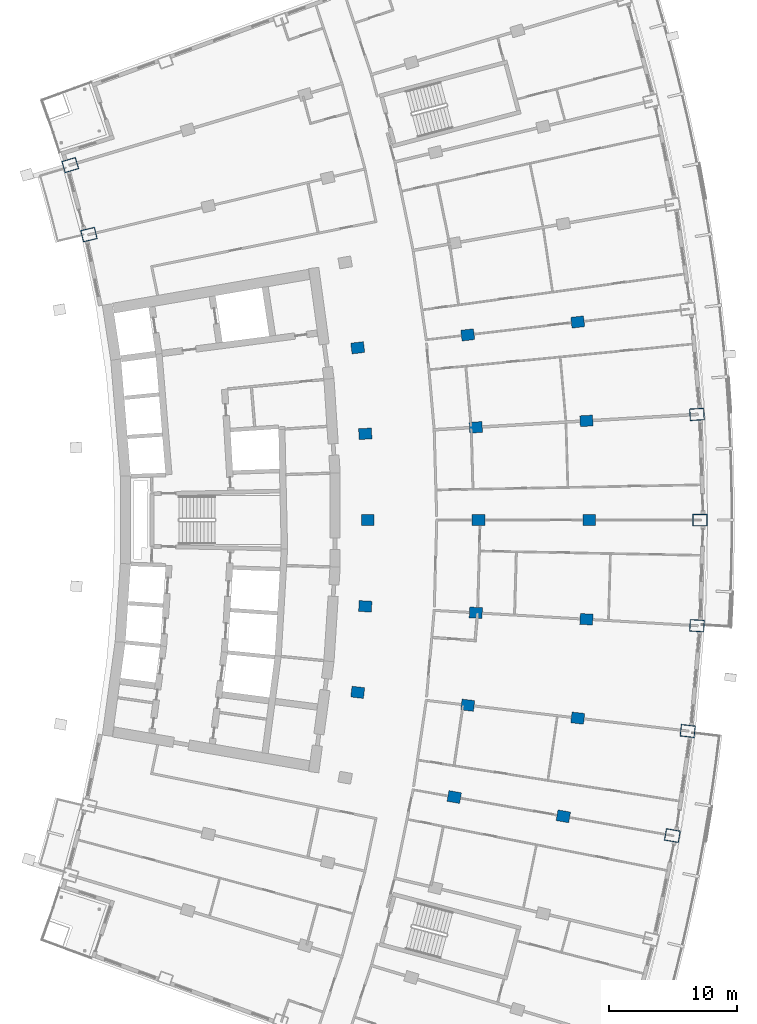
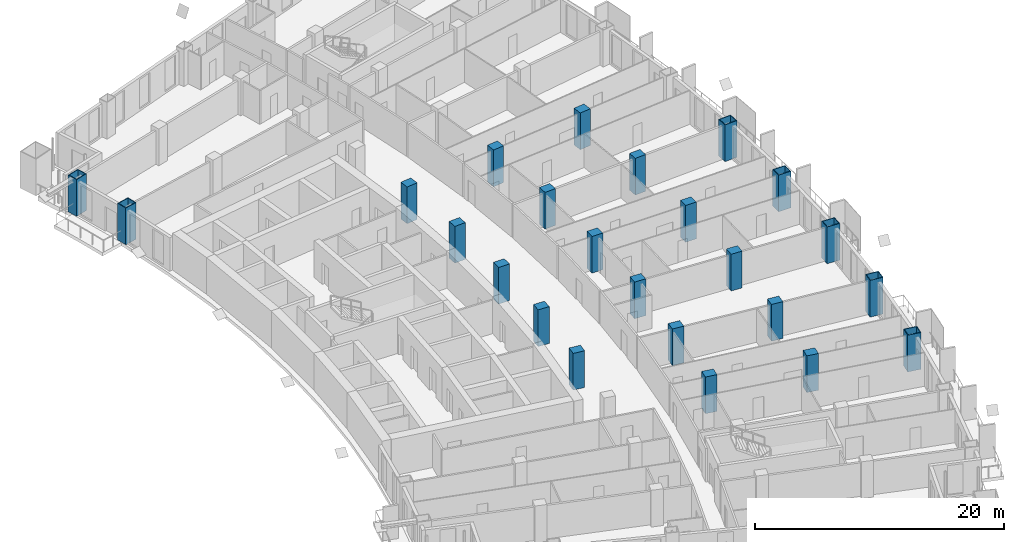
# One storey, part 6 of 25: 24 columns.
"""IFC4 building model written with IfcOpenShell, lengths in metres."""

import ifcopenshell
import ifcopenshell.guid

model = None  # the IFC model being written
_history = None  # IfcOwnerHistory: only IFC2X3 demands one
_inside = {}  # id of a spatial element -> (the spatial element, [elements in it])
_under = {}  # id of a project, library or spatial element -> (it, [spatial elements below it])
_declared = {}  # id of a project -> (the project, [libraries it declares])
_typed = {}  # id of a type object -> (the type object, [elements of that type])
_made_of = {}  # id of a material, layer set ... -> (it, [elements and type objects made of it])


def new_model(schema):
    """Start an empty IFC model of exactly this schema.

    Asked for "IFC4X3", IfcOpenShell would pick the latest addendum, in which some entities
    have other attributes; the version numbers below select the first issue.
    IFC2X3 requires an IfcOwnerHistory on every rooted entity: one is made here for all.
    """
    global model, _history
    if schema == "IFC4X3":
        model = ifcopenshell.file(schema_version=(4, 3, 0, 0))
    else:
        model = ifcopenshell.file(schema=schema)
    _inside.clear()
    _under.clear()
    _declared.clear()
    _typed.clear()
    _made_of.clear()
    _history = None
    if model.schema == "IFC2X3":
        org = make("IfcOrganization", Name="unknown")
        user = make(
            "IfcPersonAndOrganization",
            ThePerson=make("IfcPerson", FamilyName="unknown"),
            TheOrganization=org,
        )
        app = make(
            "IfcApplication",
            ApplicationDeveloper=org,
            Version="unknown",
            ApplicationFullName="unknown",
            ApplicationIdentifier="unknown",
        )
        _history = make(
            "IfcOwnerHistory",
            OwningUser=user,
            OwningApplication=app,
            ChangeAction="ADDED",
            CreationDate=0,
        )
    return model


def make(cls, **values):
    """One entity of the class cls with the attributes given. An attribute that is None is left unset."""
    return model.create_entity(
        cls, **{name: value for name, value in values.items() if value is not None}
    )


def rooted(cls, **values):
    """An entity with a GlobalId (a new one), such as an element, a storey or a relation."""
    return make(cls, GlobalId=ifcopenshell.guid.new(), OwnerHistory=_history, **values)


def si_unit(unit_type, name, prefix=None):
    """IfcSIUnit, for example si_unit("LENGTHUNIT", "METRE", prefix="MILLI")."""
    return make("IfcSIUnit", UnitType=unit_type, Prefix=prefix, Name=name)


def assignment(units):
    """IfcUnitAssignment: the units of a project."""
    return None if units is None else make("IfcUnitAssignment", Units=units)


def point(xyz):
    """IfcCartesianPoint."""
    return None if xyz is None else make("IfcCartesianPoint", Coordinates=xyz)


def direction(xyz):
    """IfcDirection."""
    return None if xyz is None else make("IfcDirection", DirectionRatios=xyz)


def frame(location, z_axis=None, x_axis=None):
    """IfcAxis2Placement3D, a coordinate frame: its origin and axes. An axis left out is left unset."""
    return make(
        "IfcAxis2Placement3D",
        Location=point(location),
        Axis=direction(z_axis),
        RefDirection=direction(x_axis),
    )


def frame_2d(location, x_axis=None):
    """IfcAxis2Placement2D, a coordinate frame in the plane: its origin and x axis."""
    return make(
        "IfcAxis2Placement2D", Location=point(location), RefDirection=direction(x_axis)
    )


def origin():
    """The frame at (0, 0, 0) with its axes left unset."""
    return frame((0.0, 0.0, 0.0))


def origin_2d():
    """The frame at (0, 0) in the plane with its x axis left unset."""
    return frame_2d((0.0, 0.0))


def place(relative_to, where):
    """IfcLocalPlacement: puts the frame where relative to a parent placement (None: the world)."""
    return make(
        "IfcLocalPlacement", PlacementRelTo=relative_to, RelativePlacement=where
    )


def context(
    kind, dimensions, precision=None, world=None, true_north=None, identifier=None
):
    """IfcGeometricRepresentationContext, for example the 3D "Model" context."""
    return make(
        "IfcGeometricRepresentationContext",
        ContextIdentifier=identifier,
        ContextType=kind,
        CoordinateSpaceDimension=dimensions,
        Precision=precision,
        WorldCoordinateSystem=world,
        TrueNorth=true_north,
    )


def subcontext(parent, identifier, kind, view, scale=None):
    """IfcGeometricRepresentationSubContext, for example "Body" below "Model"."""
    return make(
        "IfcGeometricRepresentationSubContext",
        ContextIdentifier=identifier,
        ContextType=kind,
        ParentContext=parent,
        TargetScale=scale,
        TargetView=view,
    )


def project(units=None, contexts=None):
    """IfcProject with its units and contexts."""
    return rooted(
        "IfcProject",
        Name="project",
        RepresentationContexts=contexts,
        UnitsInContext=assignment(units),
    )


def spatial(cls, under=None, at=None, **own):
    """A site, building, storey or space (cls), placed at a placement, below another one or the project."""
    s = rooted(cls, ObjectPlacement=at, **own)
    if under is not None:
        _under.setdefault(under.id(), (under, []))[1].append(s)
    return s


def profile(cls, at=None, kind="AREA", **sizes):
    """A parametric profile (cls). Its sizes go by their IFC names, for example OverallWidth=200.0."""
    return make(cls, ProfileType=kind, Position=at, **sizes)


def rectangle(**sizes):
    """IfcRectangleProfileDef."""
    return profile("IfcRectangleProfileDef", **sizes)


def hollow_rectangle(**sizes):
    """IfcRectangleHollowProfileDef."""
    return profile("IfcRectangleHollowProfileDef", **sizes)


def extrude(swept, where, along, depth):
    """IfcExtrudedAreaSolid: the profile swept, set in the frame where, extruded along a direction by depth."""
    return make(
        "IfcExtrudedAreaSolid",
        SweptArea=swept,
        Position=where,
        ExtrudedDirection=direction(along),
        Depth=depth,
    )


def shape(context_of_items, identifier, shape_type, items):
    """IfcShapeRepresentation: the items that make up one representation, for example the "Body"."""
    return make(
        "IfcShapeRepresentation",
        ContextOfItems=context_of_items,
        RepresentationIdentifier=identifier,
        RepresentationType=shape_type,
        Items=items,
    )


def material(Name=None, Category=None):
    """IfcMaterial."""
    return make("IfcMaterial", Name=Name, Category=Category)


def material_profile(
    of_material, cross_section, Name=None, Category=None, Priority=None
):
    """IfcMaterialProfile: a cross section and its material."""
    return make(
        "IfcMaterialProfile",
        Name=Name,
        Material=of_material,
        Profile=cross_section,
        Priority=Priority,
        Category=Category,
    )


def profile_set(profiles, Name=None, composite=None):
    """IfcMaterialProfileSet."""
    return make(
        "IfcMaterialProfileSet",
        Name=Name,
        MaterialProfiles=profiles,
        CompositeProfile=composite,
    )


def made_of(thing, what):
    """Note that an element or type object is made of a material, layer set ...; save() writes the relation."""
    if what is not None:
        _made_of.setdefault(what.id(), (what, []))[1].append(thing)
    return thing


def type_object(cls, material=None, **own):
    """A type object (cls), such as IfcWallType, which elements share."""
    return made_of(rooted(cls, **own), material)


def element(
    cls,
    number,
    at=None,
    inside=None,
    cuts=None,
    type_object=None,
    material=None,
    context=None,
    identifier="Body",
    shape_type=None,
    held_by="IfcProductDefinitionShape",
    body=None,
    shapes=None,
    **own,
):
    """One element of the class cls, such as IfcWall. Its Tag is "e" and its number.

    at: its placement. inside: the storey or other place that contains it. cuts: it is an
    opening in that element (IfcRelVoidsElement). A single representation is given by context,
    identifier, shape_type and body (its items); several are given by shapes. held_by: the class
    of the entity that holds the representations. save() writes the other relations.
    """
    e = rooted(cls, Tag="e%d" % number, ObjectPlacement=at, **own)
    if body is not None:
        shapes = [shape(context, identifier, shape_type, body)]
    if shapes is not None:
        e.Representation = make(held_by, Representations=shapes)
    if inside is not None:
        _inside.setdefault(inside.id(), (inside, []))[1].append(e)
    if cuts is not None:
        rooted(
            "IfcRelVoidsElement", RelatingBuildingElement=cuts, RelatedOpeningElement=e
        )
    if type_object is not None:
        _typed.setdefault(type_object.id(), (type_object, []))[1].append(e)
    return made_of(e, material)


def aggregate(whole, parts):
    """IfcRelAggregates: a whole, such as a stair, and the parts it consists of."""
    return rooted("IfcRelAggregates", RelatingObject=whole, RelatedObjects=parts)


def save(model, path):
    """Write the relations noted so far, then the file.

    IfcRelAggregates (storeys below a building ...), IfcRelContainedInSpatialStructure (elements
    in a storey), IfcRelDefinesByType, IfcRelAssociatesMaterial and IfcRelDeclares: one each for
    every whole, place, type object, material and project.
    """
    for whole, parts in _under.values():
        aggregate(whole, parts)
    for where, things in _inside.values():
        rooted(
            "IfcRelContainedInSpatialStructure",
            RelatedElements=things,
            RelatingStructure=where,
        )
    for kind, things in _typed.values():
        rooted("IfcRelDefinesByType", RelatedObjects=things, RelatingType=kind)
    for what, things in _made_of.values():
        rooted("IfcRelAssociatesMaterial", RelatedObjects=things, RelatingMaterial=what)
    for by, libraries in _declared.values():
        rooted("IfcRelDeclares", RelatingContext=by, RelatedDefinitions=libraries)
    model.write(path)


model = new_model("IFC4")

# Units and contexts
model_context = context("Model", 3, precision=1e-05, world=origin(), true_north=direction((0.0, 1.0)))
body_context = subcontext(model_context, "Body", "Model", "MODEL_VIEW")
ifc_project = project(units=[si_unit("LENGTHUNIT", "METRE"), si_unit("AREAUNIT", "SQUARE_METRE"), si_unit("VOLUMEUNIT", "CUBIC_METRE"), si_unit("PLANEANGLEUNIT", "RADIAN"), si_unit("MASSUNIT", "GRAM", prefix="KILO")], contexts=[model_context])

# Site, building, storey
site_placement = place(None, origin())
site = spatial("IfcSite", under=ifc_project, at=site_placement, CompositionType="ELEMENT")
building_placement = place(site_placement, origin())
building = spatial("IfcBuilding", under=site, at=building_placement, Name="Alderwake Tower", CompositionType="ELEMENT")
storey_placement = place(building_placement, frame((0.0, 0.0, 89.60009765625)))
storey = spatial("IfcBuildingStorey", under=building, at=storey_placement, Name="L21", CompositionType="ELEMENT", Elevation=89.60009765625)

# Columns
ifc_material_1 = material(Name="Concrete C70/85", Category="concrete")
ifc_material_profile_1 = material_profile(ifc_material_1, rectangle(XDim=0.85009765625, YDim=1.0, at=origin_2d()), Name="RC 1000X850")
ifc_profile_set_1 = profile_set([ifc_material_profile_1], Name="Concrete C70/85")
column_type_1 = type_object("IfcColumnType", Name="Interior column Z2", PredefinedType="COLUMN", material=ifc_profile_set_1)
for number, where, z_axis, x_axis, name in (
    (1, (42.565673828125, 39.329345703125, 0.0), (0.0, 0.0, 1.0), (0.174108800747, 0.984726421654, 0.0), "Column R04-C3"),
    (2, (51.099853515625, 37.8203125, 0.0), (0.0, 0.0, 1.0), (0.174108800747, 0.984726421654, 0.0), "Column R04-C4"),
    (3, (35.0126953125, 47.5205078125, 0.0), (0.0, 0.0, 1.0), (0.116402054316, 0.993202175668, 0.0), "Column R05-C2"),
    (4, (43.62060546875, 46.51171875, 0.0), (0.0, 0.0, 1.0), (0.116402054316, 0.993202175668, 0.0), "Column R05-C3"),
    (5, (52.228271484375, 45.5029296875, 0.0), (0.0, 0.0, 1.0), (0.116402054316, 0.993202175668, 0.0), "Column R05-C4"),
    (6, (35.60302734375, 54.248779296875, 0.0), (0.0, 0.0, 1.0), (0.058301061284, 0.998299046505, 0.0), "Column R06-C2"),
    (7, (44.2548828125, 53.74365234375, 0.0), (0.0, 0.0, 1.0), (0.058299318924, 0.998299148258, 0.0), "Column R06-C3"),
    (8, (52.906982421875, 53.23828125, 0.0), (0.0, 0.0, 1.0), (0.058301061284, 0.998299046505, 0.0), "Column R06-C4"),
    (9, (35.800048828125, 61.0, 0.0), (0.0, 0.0, 1.0), (0.0, 1.0, 0.0), "Column R07-C2"),
    (10, (44.466796875, 61.0, 0.0), (0.0, 0.0, 1.0), (0.0, 1.0, 0.0), "Column R07-C3"),
    (11, (53.13330078125, 61.0, 0.0), (0.0, 0.0, 1.0), (0.0, 1.0, 0.0), "Column R07-C4"),
    (12, (35.60302734375, 67.751220703125, 0.0), (0.0, 0.0, 1.0), (-0.058301061284, 0.998299046505, 0.0), "Column R08-C2"),
    (13, (44.2548828125, 68.25634765625, 0.0), (0.0, 0.0, 1.0), (-0.058299318924, 0.998299148258, 0.0), "Column R08-C3"),
    (14, (52.906982421875, 68.76171875, 0.0), (0.0, 0.0, 1.0), (-0.058301061284, 0.998299046505, 0.0), "Column R08-C4"),
    (15, (35.0126953125, 74.4794921875, 0.0), (0.0, 0.0, 1.0), (-0.116402054316, 0.993202175668, 0.0), "Column R09-C2"),
    (16, (43.62060546875, 75.48828125, 0.0), (0.0, 0.0, 1.0), (-0.116402054316, 0.993202175668, 0.0), "Column R09-C3"),
    (17, (52.228271484375, 76.4970703125, 0.0), (0.0, 0.0, 1.0), (-0.116402054316, 0.993202175668, 0.0), "Column R09-C4"),
):
    element("IfcColumn", number, at=place(storey_placement, frame(where, z_axis=z_axis, x_axis=x_axis)), inside=storey, type_object=column_type_1, Name=name, PredefinedType="COLUMN", context=body_context, shape_type="SweptSolid", body=[
        extrude(rectangle(XDim=0.85009765625, YDim=1.0, at=origin_2d()), origin(), (0.0, 0.0, 1.0), 3.599853515625),
    ])
ifc_material_2 = material(Name="Steel ASTM A572 Grade 50 concrete filled C70/85", Category="concrete")
ifc_material_profile_2 = material_profile(ifc_material_2, hollow_rectangle(XDim=0.949951171875, YDim=1.14990234375, WallThickness=0.06005859375, at=origin_2d()), Name="BOX 1150X950X60")
ifc_profile_set_2 = profile_set([ifc_material_profile_2], Name="Steel ASTM A572 Grade 50 concrete filled C70/85")
column_type_2 = type_object("IfcColumnType", Name="Perimeter column Z2", PredefinedType="COLUMN", material=ifc_profile_set_2)
for number, where, z_axis, x_axis, name in (
    (18, (59.63427734375, 36.3115234375, 0.0), (0.0, 0.0, 1.0), (0.174107082075, 0.984726725529, 0.0), "Column R04-C5"),
    (19, (60.836181640625, 44.494140625, 0.0), (0.0, 0.0, 1.0), (0.116402054316, 0.993202175668, 0.0), "Column R05-C5"),
    (20, (61.558837890625, 52.73291015625, 0.0), (0.0, 0.0, 1.0), (0.058301061284, 0.998299046505, 0.0), "Column R06-C5"),
    (21, (61.800048828125, 61.0, 0.0), (0.0, 0.0, 1.0), (0.0, 1.0, 0.0), "Column R07-C5"),
    (22, (61.558837890625, 69.26708984375, 0.0), (0.0, 0.0, 1.0), (-0.058301061284, 0.998299046505, 0.0), "Column R08-C5"),
    (23, (13.982177734375, 83.3359375, 0.0), (0.0, 0.0, 1.0), (-0.231221547198, 0.972901123502, 0.0), "Column R11-C0"),
    (24, (12.520263671875, 88.777099609375, 0.0), (0.0, 0.0, 1.0), (-0.287549418125, 0.957765802342, 0.0), "Column R12-C0"),
):
    element("IfcColumn", number, at=place(storey_placement, frame(where, z_axis=z_axis, x_axis=x_axis)), inside=storey, type_object=column_type_2, Name=name, PredefinedType="COLUMN", context=body_context, shape_type="SweptSolid", body=[
        extrude(hollow_rectangle(XDim=0.949951171875, YDim=1.14990234375, WallThickness=0.06005859375, at=origin_2d()), origin(), (0.0, 0.0, 1.0), 3.599853515625),
    ])

save(model, "model.ifc")
